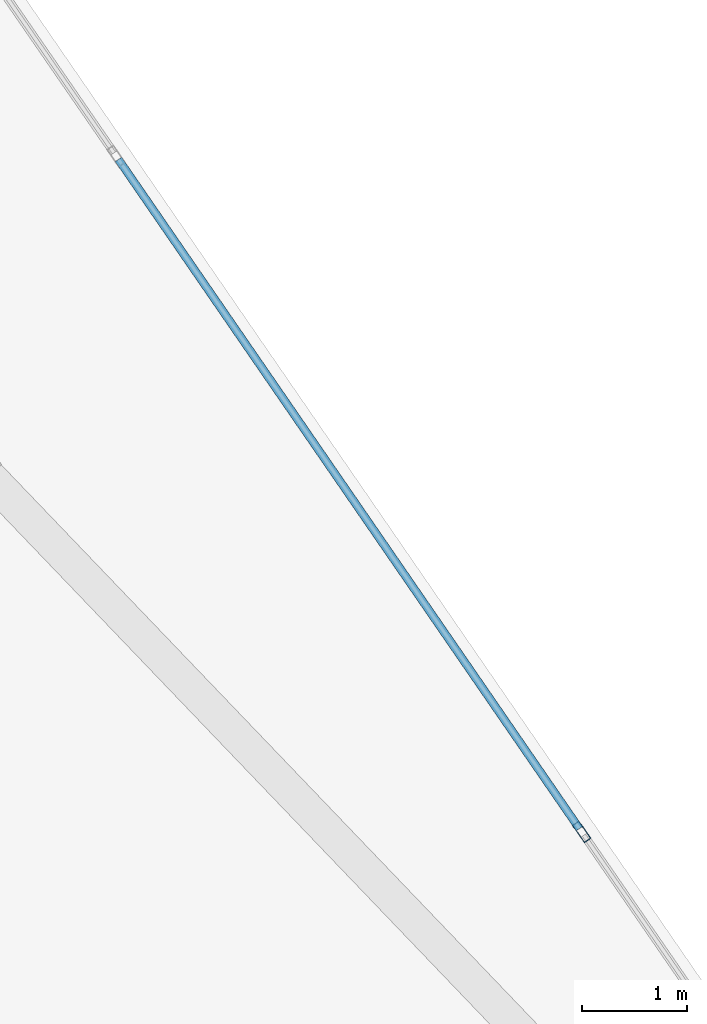
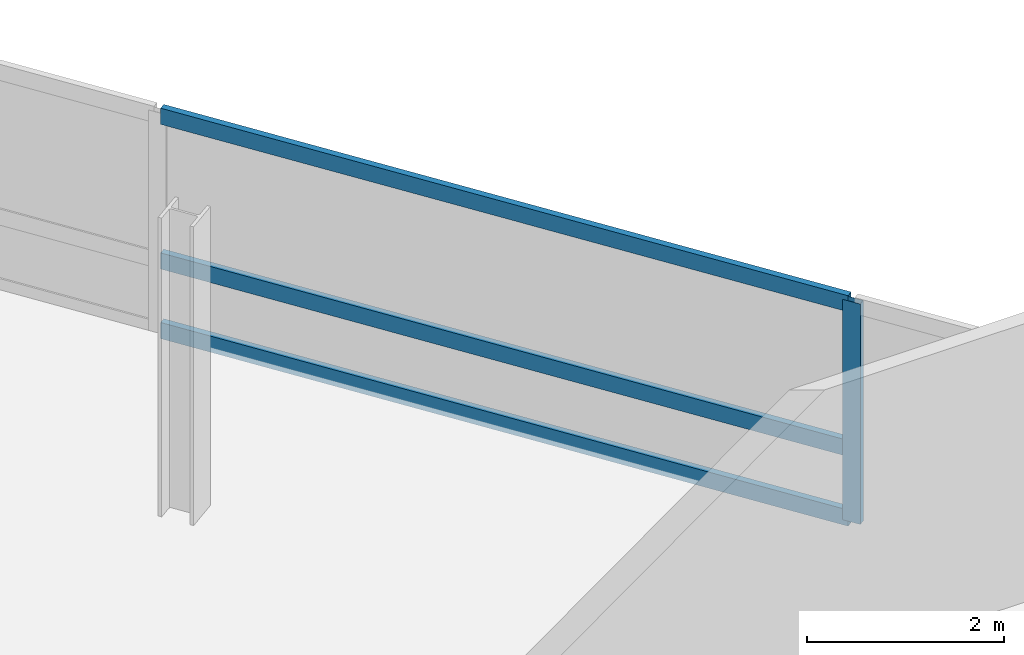
# One storey, part 9 of 23: 4 members, 1 element without a shape of its own.
"""IFC4 building model written with IfcOpenShell, lengths in metres."""

from ifc_helpers import new_model, si_unit, direction, frame, origin, origin_2d, place, context, subcontext, project, spatial, hollow_rectangle, extrude, material, layer, layer_set, material_profile, profile_set, type_object, element, aggregate, save


model = new_model("IFC4")

# Units and contexts
model_context = context("Model", 3, precision=1e-05, world=origin(), true_north=direction((0.0, 1.0)))
body_context = subcontext(model_context, "Body", "Model", "MODEL_VIEW")
ifc_project = project(units=[si_unit("LENGTHUNIT", "METRE"), si_unit("AREAUNIT", "SQUARE_METRE"), si_unit("VOLUMEUNIT", "CUBIC_METRE"), si_unit("PLANEANGLEUNIT", "RADIAN"), si_unit("MASSUNIT", "GRAM", prefix="KILO")], contexts=[model_context])

# Site, building, storey
site_placement = place(None, origin())
site = spatial("IfcSite", under=ifc_project, at=site_placement, CompositionType="ELEMENT")
building_placement = place(site_placement, origin())
building = spatial("IfcBuilding", under=site, at=building_placement, Name="Varnelok Gate Tower", CompositionType="ELEMENT")
storey_placement = place(building_placement, frame((0.0, 0.0, 273.0)))
storey = spatial("IfcBuildingStorey", under=building, at=storey_placement, Name="L70", CompositionType="ELEMENT", Elevation=273.0)

# Curtain wall, members
ifc_material = material(Name="Anodized Aluminum Alloy 6063-T6", Category="aluminium")
ifc_layer = layer(ifc_material, 0.179931640625)
ifc_layer_set = layer_set([ifc_layer], Name="Anodized Aluminum Alloy 6063-T6")
curtain_wall_type = type_object("IfcCurtainWallType", Name="CW4-RESIDENCE-VISION", PredefinedType="USERDEFINED", material=ifc_layer_set)
curtain_wall_placement = place(storey_placement, origin())
curtain_wall = element("IfcCurtainWall", 1, at=curtain_wall_placement, inside=storey, type_object=curtain_wall_type, Name="L70 East End Vision Curtain Wall", ObjectType="UNITISED CURTAIN WALL", PredefinedType="USERDEFINED")
ifc_material_profile_1 = material_profile(ifc_material, hollow_rectangle(XDim=0.074951171875, YDim=0.199951171875, WallThickness=0.00390625, at=origin_2d()), Name="ALU200X75X4")
ifc_profile_set_1 = profile_set([ifc_material_profile_1], Name="Anodized Aluminum Alloy 6063-T6")
member_type_1 = type_object("IfcMemberType", Name="CW-MULL-200", PredefinedType="MULLION", material=ifc_profile_set_1)
member_1_placement = place(storey_placement, frame((66.343505859375, 43.997314453125, 0.0), z_axis=(0.0, 0.0, 1.0), x_axis=(0.823532290241, 0.567269395376, 0.0)))
member_1 = element("IfcMember", 2, at=member_1_placement, type_object=member_type_1, Name="CW4 mullion 3", PredefinedType="MULLION", context=body_context, shape_type="SweptSolid", body=[
    extrude(hollow_rectangle(XDim=0.074951171875, YDim=0.199951171875, WallThickness=0.00390625, at=origin_2d()), origin(), (0.0, 0.0, 1.0), 2.72998046875),
])
ifc_material_profile_2 = material_profile(ifc_material, hollow_rectangle(XDim=0.074951171875, YDim=0.199951171875, WallThickness=0.00390625, at=origin_2d()), Name="ALU200X75X4")
ifc_profile_set_2 = profile_set([ifc_material_profile_2], Name="Anodized Aluminum Alloy 6063-T6")
member_type_2 = type_object("IfcMemberType", Name="CW-TRAN-200", PredefinedType="USERDEFINED", material=ifc_profile_set_2)
member_2_placement = place(storey_placement, frame((61.940185546875, 50.389892578125, 0.03759765625), z_axis=(0.567260941086, -0.823538113701, 0.0), x_axis=(0.823538113701, 0.567260941086, 0.0)))
member_2 = element("IfcMember", 3, at=member_2_placement, type_object=member_type_2, Name="CW4 transom 2.1", ObjectType="TRANSOM", PredefinedType="USERDEFINED", context=body_context, shape_type="SweptSolid", body=[
    extrude(hollow_rectangle(XDim=0.074951171875, YDim=0.199951171875, WallThickness=0.00390625, at=origin_2d()), origin(), (0.0, 0.0, 1.0), 7.72509765625),
])
member_3_placement = place(storey_placement, frame((61.940185546875, 50.389892578125, 0.89990234375), z_axis=(0.567260941086, -0.823538113701, 0.0), x_axis=(0.823538113701, 0.567260941086, 0.0)))
member_3 = element("IfcMember", 4, at=member_3_placement, type_object=member_type_2, Name="CW4 transom 2.2", ObjectType="TRANSOM", PredefinedType="USERDEFINED", context=body_context, shape_type="SweptSolid", body=[
    extrude(hollow_rectangle(XDim=0.074951171875, YDim=0.199951171875, WallThickness=0.00390625, at=origin_2d()), origin(), (0.0, 0.0, 1.0), 7.72509765625),
])
member_4_placement = place(storey_placement, frame((61.940185546875, 50.389892578125, 2.6923828125), z_axis=(0.567260941086, -0.823538113701, 0.0), x_axis=(0.823538113701, 0.567260941086, 0.0)))
member_4 = element("IfcMember", 5, at=member_4_placement, type_object=member_type_2, Name="CW4 transom 2.3", ObjectType="TRANSOM", PredefinedType="USERDEFINED", context=body_context, shape_type="SweptSolid", body=[
    extrude(hollow_rectangle(XDim=0.074951171875, YDim=0.199951171875, WallThickness=0.00390625, at=origin_2d()), origin(), (0.0, 0.0, 1.0), 7.72509765625),
])
aggregate(curtain_wall, [member_1, member_2, member_3, member_4])

save(model, "model.ifc")
